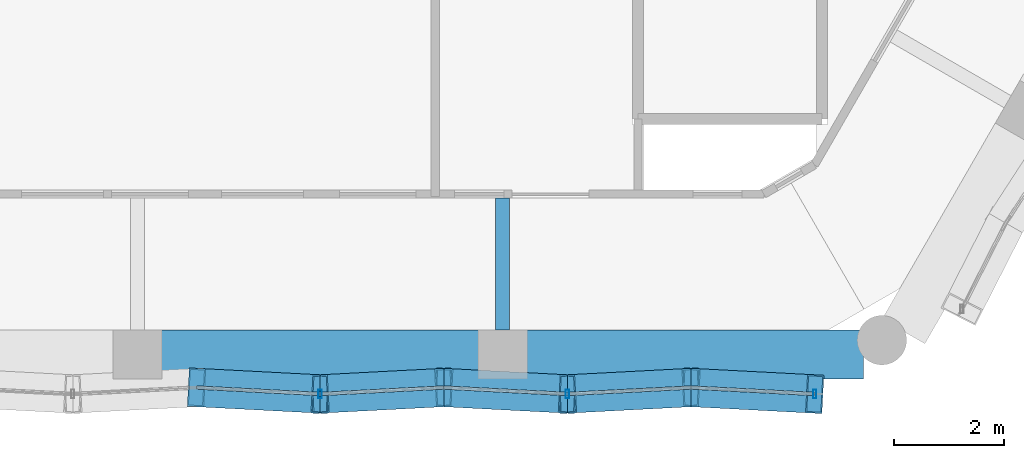
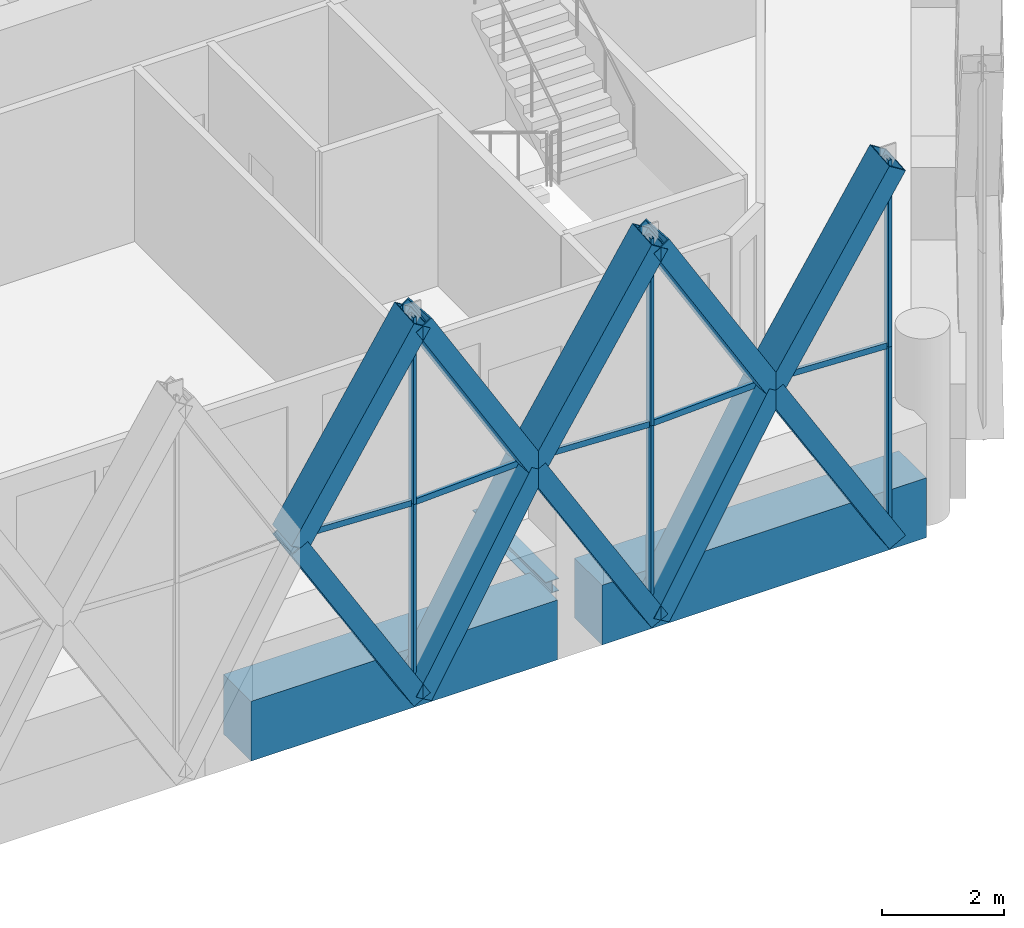
# One storey, part 5 of 27: 21 members, 3 beams, 2 elements without a shape of their own.
"""IFC4 building model written with IfcOpenShell, lengths in metres."""

import ifcopenshell
import ifcopenshell.guid

model = None  # the IFC model being written
_history = None  # IfcOwnerHistory: only IFC2X3 demands one
_inside = {}  # id of a spatial element -> (the spatial element, [elements in it])
_under = {}  # id of a project, library or spatial element -> (it, [spatial elements below it])
_declared = {}  # id of a project -> (the project, [libraries it declares])
_typed = {}  # id of a type object -> (the type object, [elements of that type])
_made_of = {}  # id of a material, layer set ... -> (it, [elements and type objects made of it])


def new_model(schema):
    """Start an empty IFC model of exactly this schema.

    Asked for "IFC4X3", IfcOpenShell would pick the latest addendum, in which some entities
    have other attributes; the version numbers below select the first issue.
    IFC2X3 requires an IfcOwnerHistory on every rooted entity: one is made here for all.
    """
    global model, _history
    if schema == "IFC4X3":
        model = ifcopenshell.file(schema_version=(4, 3, 0, 0))
    else:
        model = ifcopenshell.file(schema=schema)
    _inside.clear()
    _under.clear()
    _declared.clear()
    _typed.clear()
    _made_of.clear()
    _history = None
    if model.schema == "IFC2X3":
        org = make("IfcOrganization", Name="unknown")
        user = make(
            "IfcPersonAndOrganization",
            ThePerson=make("IfcPerson", FamilyName="unknown"),
            TheOrganization=org,
        )
        app = make(
            "IfcApplication",
            ApplicationDeveloper=org,
            Version="unknown",
            ApplicationFullName="unknown",
            ApplicationIdentifier="unknown",
        )
        _history = make(
            "IfcOwnerHistory",
            OwningUser=user,
            OwningApplication=app,
            ChangeAction="ADDED",
            CreationDate=0,
        )
    return model


def make(cls, **values):
    """One entity of the class cls with the attributes given. An attribute that is None is left unset."""
    return model.create_entity(
        cls, **{name: value for name, value in values.items() if value is not None}
    )


def rooted(cls, **values):
    """An entity with a GlobalId (a new one), such as an element, a storey or a relation."""
    return make(cls, GlobalId=ifcopenshell.guid.new(), OwnerHistory=_history, **values)


def si_unit(unit_type, name, prefix=None):
    """IfcSIUnit, for example si_unit("LENGTHUNIT", "METRE", prefix="MILLI")."""
    return make("IfcSIUnit", UnitType=unit_type, Prefix=prefix, Name=name)


def assignment(units):
    """IfcUnitAssignment: the units of a project."""
    return None if units is None else make("IfcUnitAssignment", Units=units)


def point(xyz):
    """IfcCartesianPoint."""
    return None if xyz is None else make("IfcCartesianPoint", Coordinates=xyz)


def direction(xyz):
    """IfcDirection."""
    return None if xyz is None else make("IfcDirection", DirectionRatios=xyz)


def frame(location, z_axis=None, x_axis=None):
    """IfcAxis2Placement3D, a coordinate frame: its origin and axes. An axis left out is left unset."""
    return make(
        "IfcAxis2Placement3D",
        Location=point(location),
        Axis=direction(z_axis),
        RefDirection=direction(x_axis),
    )


def frame_2d(location, x_axis=None):
    """IfcAxis2Placement2D, a coordinate frame in the plane: its origin and x axis."""
    return make(
        "IfcAxis2Placement2D", Location=point(location), RefDirection=direction(x_axis)
    )


def origin():
    """The frame at (0, 0, 0) with its axes left unset."""
    return frame((0.0, 0.0, 0.0))


def origin_2d():
    """The frame at (0, 0) in the plane with its x axis left unset."""
    return frame_2d((0.0, 0.0))


def place(relative_to, where):
    """IfcLocalPlacement: puts the frame where relative to a parent placement (None: the world)."""
    return make(
        "IfcLocalPlacement", PlacementRelTo=relative_to, RelativePlacement=where
    )


def context(
    kind, dimensions, precision=None, world=None, true_north=None, identifier=None
):
    """IfcGeometricRepresentationContext, for example the 3D "Model" context."""
    return make(
        "IfcGeometricRepresentationContext",
        ContextIdentifier=identifier,
        ContextType=kind,
        CoordinateSpaceDimension=dimensions,
        Precision=precision,
        WorldCoordinateSystem=world,
        TrueNorth=true_north,
    )


def subcontext(parent, identifier, kind, view, scale=None):
    """IfcGeometricRepresentationSubContext, for example "Body" below "Model"."""
    return make(
        "IfcGeometricRepresentationSubContext",
        ContextIdentifier=identifier,
        ContextType=kind,
        ParentContext=parent,
        TargetScale=scale,
        TargetView=view,
    )


def project(units=None, contexts=None):
    """IfcProject with its units and contexts."""
    return rooted(
        "IfcProject",
        Name="project",
        RepresentationContexts=contexts,
        UnitsInContext=assignment(units),
    )


def spatial(cls, under=None, at=None, **own):
    """A site, building, storey or space (cls), placed at a placement, below another one or the project."""
    s = rooted(cls, ObjectPlacement=at, **own)
    if under is not None:
        _under.setdefault(under.id(), (under, []))[1].append(s)
    return s


def profile(cls, at=None, kind="AREA", **sizes):
    """A parametric profile (cls). Its sizes go by their IFC names, for example OverallWidth=200.0."""
    return make(cls, ProfileType=kind, Position=at, **sizes)


def rectangle(**sizes):
    """IfcRectangleProfileDef."""
    return profile("IfcRectangleProfileDef", **sizes)


def hollow_rectangle(**sizes):
    """IfcRectangleHollowProfileDef."""
    return profile("IfcRectangleHollowProfileDef", **sizes)


def i_section(**sizes):
    """IfcIShapeProfileDef."""
    return profile("IfcIShapeProfileDef", **sizes)


def extrude(swept, where, along, depth):
    """IfcExtrudedAreaSolid: the profile swept, set in the frame where, extruded along a direction by depth."""
    return make(
        "IfcExtrudedAreaSolid",
        SweptArea=swept,
        Position=where,
        ExtrudedDirection=direction(along),
        Depth=depth,
    )


def shape(context_of_items, identifier, shape_type, items):
    """IfcShapeRepresentation: the items that make up one representation, for example the "Body"."""
    return make(
        "IfcShapeRepresentation",
        ContextOfItems=context_of_items,
        RepresentationIdentifier=identifier,
        RepresentationType=shape_type,
        Items=items,
    )


def material(Name=None, Category=None):
    """IfcMaterial."""
    return make("IfcMaterial", Name=Name, Category=Category)


def material_profile(
    of_material, cross_section, Name=None, Category=None, Priority=None
):
    """IfcMaterialProfile: a cross section and its material."""
    return make(
        "IfcMaterialProfile",
        Name=Name,
        Material=of_material,
        Profile=cross_section,
        Priority=Priority,
        Category=Category,
    )


def profile_set(profiles, Name=None, composite=None):
    """IfcMaterialProfileSet."""
    return make(
        "IfcMaterialProfileSet",
        Name=Name,
        MaterialProfiles=profiles,
        CompositeProfile=composite,
    )


def made_of(thing, what):
    """Note that an element or type object is made of a material, layer set ...; save() writes the relation."""
    if what is not None:
        _made_of.setdefault(what.id(), (what, []))[1].append(thing)
    return thing


def type_object(cls, material=None, **own):
    """A type object (cls), such as IfcWallType, which elements share."""
    return made_of(rooted(cls, **own), material)


def element(
    cls,
    number,
    at=None,
    inside=None,
    cuts=None,
    type_object=None,
    material=None,
    context=None,
    identifier="Body",
    shape_type=None,
    held_by="IfcProductDefinitionShape",
    body=None,
    shapes=None,
    **own,
):
    """One element of the class cls, such as IfcWall. Its Tag is "e" and its number.

    at: its placement. inside: the storey or other place that contains it. cuts: it is an
    opening in that element (IfcRelVoidsElement). A single representation is given by context,
    identifier, shape_type and body (its items); several are given by shapes. held_by: the class
    of the entity that holds the representations. save() writes the other relations.
    """
    e = rooted(cls, Tag="e%d" % number, ObjectPlacement=at, **own)
    if body is not None:
        shapes = [shape(context, identifier, shape_type, body)]
    if shapes is not None:
        e.Representation = make(held_by, Representations=shapes)
    if inside is not None:
        _inside.setdefault(inside.id(), (inside, []))[1].append(e)
    if cuts is not None:
        rooted(
            "IfcRelVoidsElement", RelatingBuildingElement=cuts, RelatedOpeningElement=e
        )
    if type_object is not None:
        _typed.setdefault(type_object.id(), (type_object, []))[1].append(e)
    return made_of(e, material)


def aggregate(whole, parts):
    """IfcRelAggregates: a whole, such as a stair, and the parts it consists of."""
    return rooted("IfcRelAggregates", RelatingObject=whole, RelatedObjects=parts)


def save(model, path):
    """Write the relations noted so far, then the file.

    IfcRelAggregates (storeys below a building ...), IfcRelContainedInSpatialStructure (elements
    in a storey), IfcRelDefinesByType, IfcRelAssociatesMaterial and IfcRelDeclares: one each for
    every whole, place, type object, material and project.
    """
    for whole, parts in _under.values():
        aggregate(whole, parts)
    for where, things in _inside.values():
        rooted(
            "IfcRelContainedInSpatialStructure",
            RelatedElements=things,
            RelatingStructure=where,
        )
    for kind, things in _typed.values():
        rooted("IfcRelDefinesByType", RelatedObjects=things, RelatingType=kind)
    for what, things in _made_of.values():
        rooted("IfcRelAssociatesMaterial", RelatedObjects=things, RelatingMaterial=what)
    for by, libraries in _declared.values():
        rooted("IfcRelDeclares", RelatingContext=by, RelatedDefinitions=libraries)
    model.write(path)


model = new_model("IFC4")

# Units and contexts
model_context = context("Model", 3, precision=1e-05, world=origin(), true_north=direction((0.0, 1.0)))
body_context = subcontext(model_context, "Body", "Model", "MODEL_VIEW")
ifc_project = project(units=[si_unit("LENGTHUNIT", "METRE"), si_unit("AREAUNIT", "SQUARE_METRE"), si_unit("VOLUMEUNIT", "CUBIC_METRE"), si_unit("PLANEANGLEUNIT", "RADIAN"), si_unit("MASSUNIT", "GRAM", prefix="KILO")], contexts=[model_context])

# Site, building, storey
site_placement = place(None, origin())
site = spatial("IfcSite", under=ifc_project, at=site_placement, CompositionType="ELEMENT")
building_placement = place(site_placement, origin())
building = spatial("IfcBuilding", under=site, at=building_placement, Name="Ostrander Bayou Hotel Tower", CompositionType="ELEMENT")
storey_placement = place(building_placement, frame((0.0, 0.0, 267.5)))
storey = spatial("IfcBuildingStorey", under=building, at=storey_placement, Name="L66", CompositionType="ELEMENT", Elevation=267.5)

# Curtain wall, members
ifc_material_1 = material(Name="Aluminium and clear glass", Category="aluminium")
curtain_wall_type = type_object("IfcCurtainWallType", Name="CW-LAT lattice glazing", PredefinedType="NOTDEFINED", material=ifc_material_1)
curtain_wall_1_placement = place(storey_placement, origin())
curtain_wall_1 = element("IfcCurtainWall", 1, at=curtain_wall_1_placement, inside=storey, type_object=curtain_wall_type, Name="CW-LAT L66 S 1", PredefinedType="NOTDEFINED")
ifc_material_2 = material(Name="Aluminium", Category="aluminium")
ifc_material_profile_1 = material_profile(ifc_material_2, hollow_rectangle(XDim=0.06005859375, YDim=0.159912109375, WallThickness=0.00390625, at=origin_2d()))
ifc_profile_set_1 = profile_set([ifc_material_profile_1], Name="Aluminium")
member_type_1 = type_object("IfcMemberType", Name="CW-LA mullion 60 x 160 mm", PredefinedType="MULLION", material=ifc_profile_set_1)
member_1_placement = place(storey_placement, frame((0.0, -16.41357421875, -0.60009765625), z_axis=(0.0, 0.0, 1.0), x_axis=(1.0, 0.0, 0.0)))
member_1 = element("IfcMember", 2, at=member_1_placement, type_object=member_type_1, Name="CW-LAT mullion 8", PredefinedType="MULLION", context=body_context, shape_type="SweptSolid", body=[
    extrude(hollow_rectangle(XDim=0.06005859375, YDim=0.159912109375, WallThickness=0.00390625, at=origin_2d()), origin(), (0.0, 0.0, 1.0), 3.75),
])
member_2_placement = place(storey_placement, frame((0.0, -16.41357421875, 3.14990234375), z_axis=(0.0, 0.0, 1.0), x_axis=(1.0, 0.0, 0.0)))
member_2 = element("IfcMember", 3, at=member_2_placement, type_object=member_type_1, Name="CW-LAT mullion 9", PredefinedType="MULLION", context=body_context, shape_type="SweptSolid", body=[
    extrude(hollow_rectangle(XDim=0.06005859375, YDim=0.159912109375, WallThickness=0.00390625, at=origin_2d()), origin(), (0.0, 0.0, 1.0), 3.75),
])
member_3_placement = place(storey_placement, frame((4.510009765625, -16.41357421875, -0.60009765625), z_axis=(0.0, 0.0, 1.0), x_axis=(1.0, 0.0, 0.0)))
member_3 = element("IfcMember", 4, at=member_3_placement, type_object=member_type_1, Name="CW-LAT mullion 12", PredefinedType="MULLION", context=body_context, shape_type="SweptSolid", body=[
    extrude(hollow_rectangle(XDim=0.06005859375, YDim=0.159912109375, WallThickness=0.00390625, at=origin_2d()), origin(), (0.0, 0.0, 1.0), 3.75),
])
member_4_placement = place(storey_placement, frame((4.510009765625, -16.41357421875, 3.14990234375), z_axis=(0.0, 0.0, 1.0), x_axis=(1.0, 0.0, 0.0)))
member_4 = element("IfcMember", 5, at=member_4_placement, type_object=member_type_1, Name="CW-LAT mullion 13", PredefinedType="MULLION", context=body_context, shape_type="SweptSolid", body=[
    extrude(hollow_rectangle(XDim=0.06005859375, YDim=0.159912109375, WallThickness=0.00390625, at=origin_2d()), origin(), (0.0, 0.0, 1.0), 3.75),
])
member_5_placement = place(storey_placement, frame((9.020263671875, -16.41357421875, -0.60009765625), z_axis=(0.0, 0.0, 1.0), x_axis=(1.0, 0.0, 0.0)))
member_5 = element("IfcMember", 6, at=member_5_placement, type_object=member_type_1, Name="CW-LAT mullion 16", PredefinedType="MULLION", context=body_context, shape_type="SweptSolid", body=[
    extrude(hollow_rectangle(XDim=0.06005859375, YDim=0.159912109375, WallThickness=0.00390625, at=origin_2d()), origin(), (0.0, 0.0, 1.0), 3.75),
])
member_6_placement = place(storey_placement, frame((9.020263671875, -16.41357421875, 3.14990234375), z_axis=(0.0, 0.0, 1.0), x_axis=(1.0, 0.0, 0.0)))
member_6 = element("IfcMember", 7, at=member_6_placement, type_object=member_type_1, Name="CW-LAT mullion 17", PredefinedType="MULLION", context=body_context, shape_type="SweptSolid", body=[
    extrude(hollow_rectangle(XDim=0.06005859375, YDim=0.159912109375, WallThickness=0.00390625, at=origin_2d()), origin(), (0.0, 0.0, 1.0), 3.75),
])
aggregate(curtain_wall_1, [member_1, member_2, member_3, member_4, member_5, member_6])

curtain_wall_2_placement = place(storey_placement, origin())
curtain_wall_2 = element("IfcCurtainWall", 8, at=curtain_wall_2_placement, inside=storey, type_object=curtain_wall_type, Name="CW-LAT L66 S 2", PredefinedType="NOTDEFINED")
ifc_material_3 = material(Name="Aluminium", Category="aluminium")
ifc_material_profile_2 = material_profile(ifc_material_3, hollow_rectangle(XDim=0.06005859375, YDim=0.1201171875, WallThickness=0.00390625, at=origin_2d()))
ifc_profile_set_2 = profile_set([ifc_material_profile_2], Name="Aluminium")
member_type_2 = type_object("IfcMemberType", Name="CW-LA transom 60 x 120 mm", PredefinedType="USERDEFINED", material=ifc_profile_set_2)
member_7_placement = place(storey_placement, frame((0.0, -16.41357421875, 3.14990234375), z_axis=(-0.998630046955, 0.052326181956, 0.0), x_axis=(-0.052326181956, -0.998630046955, 0.0)))
member_7 = element("IfcMember", 9, at=member_7_placement, type_object=member_type_2, Name="CW-LAT transom 10", ObjectType="TRANSOM", PredefinedType="USERDEFINED", context=body_context, shape_type="SweptSolid", body=[
    extrude(hollow_rectangle(XDim=0.06005859375, YDim=0.1201171875, WallThickness=0.00390625, at=origin_2d()), origin(), (0.0, 0.0, 1.0), 2.25830078125),
])
member_8_placement = place(storey_placement, frame((0.0, -16.41357421875, 3.14990234375), z_axis=(0.998630046955, 0.052326181956, 0.0), x_axis=(-0.052326181956, 0.998630046955, 0.0)))
member_8 = element("IfcMember", 10, at=member_8_placement, type_object=member_type_2, Name="CW-LAT transom 11", ObjectType="TRANSOM", PredefinedType="USERDEFINED", context=body_context, shape_type="SweptSolid", body=[
    extrude(hollow_rectangle(XDim=0.06005859375, YDim=0.1201171875, WallThickness=0.00390625, at=origin_2d()), origin(), (0.0, 0.0, 1.0), 2.25830078125),
])
member_9_placement = place(storey_placement, frame((4.510009765625, -16.41357421875, 3.14990234375), z_axis=(-0.998629750894, 0.0523318319, 0.0), x_axis=(-0.0523318319, -0.998629750894, 0.0)))
member_9 = element("IfcMember", 11, at=member_9_placement, type_object=member_type_2, Name="CW-LAT transom 14", ObjectType="TRANSOM", PredefinedType="USERDEFINED", context=body_context, shape_type="SweptSolid", body=[
    extrude(hollow_rectangle(XDim=0.06005859375, YDim=0.1201171875, WallThickness=0.00390625, at=origin_2d()), origin(), (0.0, 0.0, 1.0), 2.258056640625),
])
member_10_placement = place(storey_placement, frame((4.510009765625, -16.41357421875, 3.14990234375), z_axis=(0.998630046955, 0.052326181956, 0.0), x_axis=(-0.052326181956, 0.998630046955, 0.0)))
member_10 = element("IfcMember", 12, at=member_10_placement, type_object=member_type_2, Name="CW-LAT transom 15", ObjectType="TRANSOM", PredefinedType="USERDEFINED", context=body_context, shape_type="SweptSolid", body=[
    extrude(hollow_rectangle(XDim=0.06005859375, YDim=0.1201171875, WallThickness=0.00390625, at=origin_2d()), origin(), (0.0, 0.0, 1.0), 2.25830078125),
])
member_11_placement = place(storey_placement, frame((9.020263671875, -16.41357421875, 3.14990234375), z_axis=(-0.998630046955, 0.052326181956, 0.0), x_axis=(-0.052326181956, -0.998630046955, 0.0)))
member_11 = element("IfcMember", 13, at=member_11_placement, type_object=member_type_2, Name="CW-LAT transom 18", ObjectType="TRANSOM", PredefinedType="USERDEFINED", context=body_context, shape_type="SweptSolid", body=[
    extrude(hollow_rectangle(XDim=0.06005859375, YDim=0.1201171875, WallThickness=0.00390625, at=origin_2d()), origin(), (0.0, 0.0, 1.0), 2.25830078125),
])
aggregate(curtain_wall_2, [member_7, member_8, member_9, member_10, member_11])

# Beam
ifc_material_4 = material(Name="Steel ASTM A992", Category="steel")
ifc_material_profile_3 = material_profile(ifc_material_4, i_section(OverallWidth=0.25390625, OverallDepth=0.25341796875, WebThickness=0.008544921875, FlangeThickness=0.01416015625, at=origin_2d()))
ifc_profile_set_3 = profile_set([ifc_material_profile_3], Name="Steel ASTM A992")
beam_type_1 = type_object("IfcBeamType", Name="LB2 loggia bracket W10x49", PredefinedType="BEAM", material=ifc_profile_set_3)
beam_1_placement = place(storey_placement, frame((3.329345703125, -15.243408203125, -0.4267578125), z_axis=(0.0, 1.0, 0.0), x_axis=(-1.0, 0.0, 0.0)))
element("IfcBeam", 14, at=beam_1_placement, inside=storey, type_object=beam_type_1, Name="LB2 L66 S2", PredefinedType="BEAM", context=body_context, shape_type="SweptSolid", body=[
    extrude(i_section(OverallWidth=0.25390625, OverallDepth=0.25341796875, WebThickness=0.008544921875, FlangeThickness=0.01416015625, at=origin_2d()), origin(), (0.0, 0.0, 1.0), 2.39990234375),
])

# Members
ifc_material_5 = material(Name="Steel ASTM A572 Gr 50", Category="steel")
ifc_material_profile_4 = material_profile(ifc_material_5, hollow_rectangle(XDim=0.699951171875, YDim=0.35009765625, WallThickness=0.02490234375, at=origin_2d()))
ifc_profile_set_4 = profile_set([ifc_material_profile_4], Name="Steel ASTM A572 Gr 50")
member_type_3 = type_object("IfcMemberType", Name="LT1 lattice member box 700 x 350 x 25 mm", PredefinedType="BRACE", material=ifc_profile_set_4)
for number, where, z_axis, x_axis, name in (
    (15, (-2.255126953125, -16.29541015625, 3.14990234375), (0.51516920458, -0.0269938178, -0.856663308688), (0.052326181956, 0.998630046955, 0.0), "LT1 L66 S 7"),
    (16, (-2.255126953125, -16.29541015625, 3.14990234375), (0.51516920458, -0.0269938178, 0.856663308688), (0.052326181956, 0.998630046955, 0.0), "LT1 L66 S 8"),
    (17, (2.255126953125, -16.29541015625, 3.14990234375), (-0.51516920458, -0.0269938178, -0.856663308688), (0.052326181956, -0.998630046955, 0.0), "LT1 L66 S 9"),
    (18, (2.255126953125, -16.29541015625, 3.14990234375), (-0.51516920458, -0.0269938178, 0.856663308688), (0.052326181956, -0.998630046955, 0.0), "LT1 L66 S 10"),
    (19, (2.255126953125, -16.29541015625, 3.14990234375), (0.515128232407, -0.026994593383, -0.856687922236), (0.0523318319, 0.998629750894, 0.0), "LT1 L66 S 11"),
    (20, (2.255126953125, -16.29541015625, 3.14990234375), (0.515128232407, -0.026994593383, 0.856687922236), (0.0523318319, 0.998629750894, 0.0), "LT1 L66 S 12"),
    (21, (6.76513671875, -16.29541015625, 3.14990234375), (-0.51516920458, -0.0269938178, -0.856663308688), (0.052326181956, -0.998630046955, 0.0), "LT1 L66 S 13"),
    (22, (6.76513671875, -16.29541015625, 3.14990234375), (-0.51516920458, -0.0269938178, 0.856663308688), (0.052326181956, -0.998630046955, 0.0), "LT1 L66 S 14"),
    (23, (6.76513671875, -16.29541015625, 3.14990234375), (0.51516920458, -0.0269938178, -0.856663308688), (0.052326181956, 0.998630046955, 0.0), "LT1 L66 S 15"),
    (24, (6.76513671875, -16.29541015625, 3.14990234375), (0.51516920458, -0.0269938178, 0.856663308688), (0.052326181956, 0.998630046955, 0.0), "LT1 L66 S 16"),
):
    element("IfcMember", number, at=place(storey_placement, frame(where, z_axis=z_axis, x_axis=x_axis)), inside=storey, type_object=member_type_3, Name=name, PredefinedType="BRACE", context=body_context, shape_type="SweptSolid", body=[
        extrude(hollow_rectangle(XDim=0.699951171875, YDim=0.35009765625, WallThickness=0.02490234375, at=origin_2d()), origin(), (0.0, 0.0, 1.0), 4.37744140625),
    ])

# Beams
ifc_material_6 = material(Name="Concrete f'c 60 MPa", Category="concrete")
ifc_material_profile_5 = material_profile(ifc_material_6, rectangle(XDim=0.89990234375, YDim=1.199951171875, at=origin_2d()))
ifc_profile_set_5 = profile_set([ifc_material_profile_5], Name="Concrete f'c 60 MPa")
beam_type_2 = type_object("IfcBeamType", Name="SP4 spandrel beam 900 x 1200 mm f'c 60 MPa", PredefinedType="SPANDREL", material=ifc_profile_set_5)
beam_2_placement = place(storey_placement, frame((-2.909423828125, -15.693603515625, -0.60009765625), z_axis=(1.0, 0.0, 0.0), x_axis=(0.0, 1.0, 0.0)))
element("IfcBeam", 25, at=beam_2_placement, inside=storey, type_object=beam_type_2, Name="SP4 L66 S-2", PredefinedType="SPANDREL", context=body_context, shape_type="SweptSolid", body=[
    extrude(rectangle(XDim=0.89990234375, YDim=1.199951171875, at=origin_2d()), origin(), (0.0, 0.0, 1.0), 5.81884765625),
])
beam_3_placement = place(storey_placement, frame((3.74951171875, -15.693603515625, -0.60009765625), z_axis=(1.0, 0.0, 0.0), x_axis=(0.0, 1.0, 0.0)))
element("IfcBeam", 26, at=beam_3_placement, inside=storey, type_object=beam_type_2, Name="SP4 L66 S-3", PredefinedType="SPANDREL", context=body_context, shape_type="SweptSolid", body=[
    extrude(rectangle(XDim=0.89990234375, YDim=1.199951171875, at=origin_2d()), origin(), (0.0, 0.0, 1.0), 6.1591796875),
])

save(model, "model.ifc")
